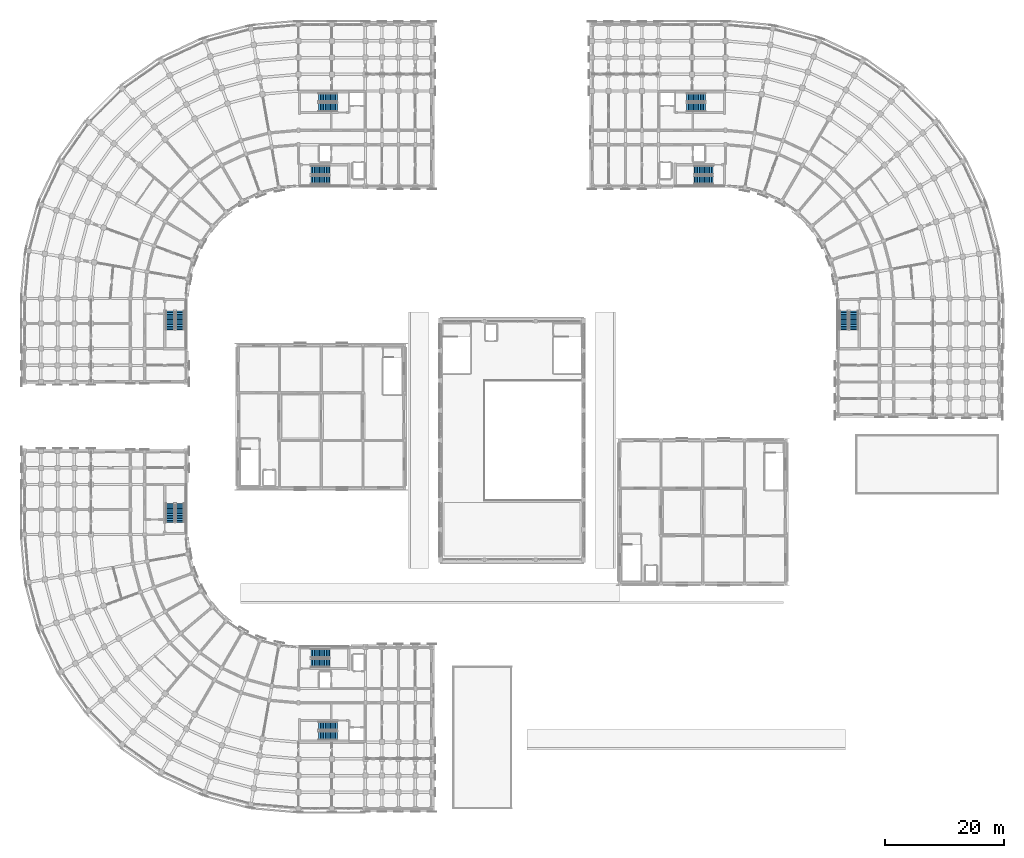
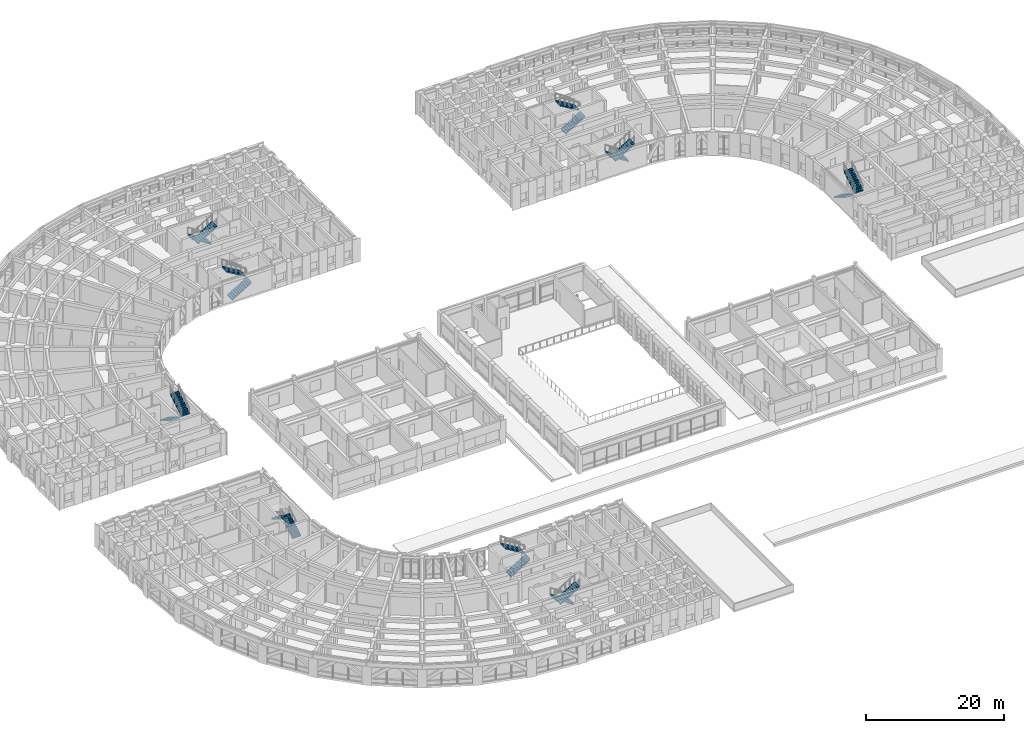
# One storey, part 80 of 97: 18 stair flights, 9 elements without a shape of their own.
"""IFC4 building model written with IfcOpenShell, lengths in metres."""

from ifc_helpers import new_model, si_unit, direction, frame, origin, place, context, subcontext, project, spatial, polyline, outline, extrude, material, type_object, element, aggregate, save


model = new_model("IFC4")

# Units and contexts
model_context = context("Model", 3, precision=1e-05, world=origin(), true_north=direction((0.0, 1.0)))
body_context = subcontext(model_context, "Body", "Model", "MODEL_VIEW")
ifc_project = project(units=[si_unit("LENGTHUNIT", "METRE"), si_unit("AREAUNIT", "SQUARE_METRE"), si_unit("VOLUMEUNIT", "CUBIC_METRE"), si_unit("PLANEANGLEUNIT", "RADIAN"), si_unit("MASSUNIT", "GRAM", prefix="KILO")], contexts=[model_context])

# Site, building, storey
site_placement = place(None, origin())
site = spatial("IfcSite", under=ifc_project, at=site_placement, CompositionType="ELEMENT")
building_placement = place(site_placement, origin())
building = spatial("IfcBuilding", under=site, at=building_placement, Name="Kiranvali Square Residences", CompositionType="ELEMENT")
storey_placement = place(building_placement, frame((0.0, 0.0, 4.5)))
storey = spatial("IfcBuildingStorey", under=building, at=storey_placement, Name="L01", CompositionType="ELEMENT", Elevation=4.5)

# Stair, stair flights
ifc_material = material(Name="Concrete M35 (35 MPa)", Category="concrete")
stair_type = type_object("IfcStairType", Name="ST-CORE-1700", PredefinedType="HALF_TURN_STAIR", material=ifc_material)
stair_1_placement = place(storey_placement, origin())
stair_1 = element("IfcStair", 1, at=stair_1_placement, inside=storey, type_object=stair_type, Name="L01 Block A Firefighting Exit Stair 1", PredefinedType="HALF_TURN_STAIR")
stair_flight_type = type_object("IfcStairFlightType", Name="STF-1700", PredefinedType="STRAIGHT", material=ifc_material)
stair_flight_1_placement = place(storey_placement, frame((54.699951171875, 121.52490234375, 0.0), z_axis=(0.0, 0.0, 1.0), x_axis=(-1.0, 0.0, 0.0)))
stair_flight_1 = element("IfcStairFlight", 2, at=stair_flight_1_placement, type_object=stair_flight_type, Name="ST-A1 flight 1", NumberOfRisers=12, NumberOfTreads=11, PredefinedType="STRAIGHT", RiserHeight=0.175, TreadLength=0.285, context=body_context, shape_type="SweptSolid", body=[
    extrude(outline(polyline([(-0.02001953125, -0.14990234375), (-0.02001953125, 0.0), (0.0, 0.0), (0.0, 0.175048828125), (0.284912109375, 0.175048828125), (0.284912109375, 0.35009765625), (0.570068359375, 0.35009765625), (0.570068359375, 0.52490234375), (0.85498046875, 0.52490234375), (0.85498046875, 0.699951171875), (1.139892578125, 0.699951171875), (1.139892578125, 0.875), (1.425048828125, 0.875), (1.425048828125, 1.050048828125), (1.7099609375, 1.050048828125), (1.7099609375, 1.22509765625), (1.9951171875, 1.22509765625), (1.9951171875, 1.39990234375), (2.280029296875, 1.39990234375), (2.280029296875, 1.574951171875), (2.56494140625, 1.574951171875), (2.56494140625, 1.75), (2.85009765625, 1.75), (2.85009765625, 1.925048828125), (3.135009765625, 1.925048828125), (3.135009765625, 2.10009765625), (3.155029296875, 2.10009765625), (3.155029296875, 1.7490234375), (3.135009765625, 1.7490234375), (0.0, -0.14990234375), (-0.02001953125, -0.14990234375)])), frame((0.0, 0.72509765625, 0.0), z_axis=(0.0, -1.0, 0.0), x_axis=(1.0, 0.0, 0.0)), (0.0, 0.0, 1.0), 1.449951171875),
])
stair_flight_2_placement = place(storey_placement, frame((51.56494140625, 119.875, 2.10009765625), z_axis=(0.0, 0.0, 1.0), x_axis=(1.0, 0.0, 0.0)))
stair_flight_2 = element("IfcStairFlight", 3, at=stair_flight_2_placement, type_object=stair_flight_type, Name="ST-A1 flight 2", NumberOfRisers=12, NumberOfTreads=11, PredefinedType="STRAIGHT", RiserHeight=0.175, TreadLength=0.285, context=body_context, shape_type="SweptSolid", body=[
    extrude(outline(polyline([(-0.02001953125, -0.14990234375), (-0.02001953125, 0.0), (0.0, 0.0), (0.0, 0.175048828125), (0.284912109375, 0.175048828125), (0.284912109375, 0.35009765625), (0.570068359375, 0.35009765625), (0.570068359375, 0.52490234375), (0.85498046875, 0.52490234375), (0.85498046875, 0.699951171875), (1.139892578125, 0.699951171875), (1.139892578125, 0.875), (1.425048828125, 0.875), (1.425048828125, 1.050048828125), (1.7099609375, 1.050048828125), (1.7099609375, 1.22509765625), (1.9951171875, 1.22509765625), (1.9951171875, 1.39990234375), (2.280029296875, 1.39990234375), (2.280029296875, 1.574951171875), (2.56494140625, 1.574951171875), (2.56494140625, 1.75), (2.85009765625, 1.75), (2.85009765625, 1.925048828125), (3.135009765625, 1.925048828125), (3.135009765625, 2.10009765625), (3.155029296875, 2.10009765625), (3.155029296875, 1.7490234375), (3.135009765625, 1.7490234375), (0.0, -0.14990234375), (-0.02001953125, -0.14990234375)])), frame((0.0, 0.72509765625, 0.0), z_axis=(0.0, -1.0, 0.0), x_axis=(1.0, 0.0, 0.0)), (0.0, 0.0, 1.0), 1.449951171875),
])
aggregate(stair_1, [stair_flight_1, stair_flight_2])

stair_2_placement = place(storey_placement, origin())
stair_2 = element("IfcStair", 4, at=stair_2_placement, inside=storey, type_object=stair_type, Name="L01 Block A Protected Exit Stair 2", PredefinedType="HALF_TURN_STAIR")
stair_flight_3_placement = place(storey_placement, frame((50.300048828125, 107.675048828125, 0.0), z_axis=(0.0, 0.0, 1.0), x_axis=(1.0, 0.0, 0.0)))
stair_flight_3 = element("IfcStairFlight", 5, at=stair_flight_3_placement, type_object=stair_flight_type, Name="ST-A2 flight 1", NumberOfRisers=12, NumberOfTreads=11, PredefinedType="STRAIGHT", RiserHeight=0.175, TreadLength=0.285, context=body_context, shape_type="SweptSolid", body=[
    extrude(outline(polyline([(-0.02001953125, -0.14990234375), (-0.02001953125, 0.0), (0.0, 0.0), (0.0, 0.175048828125), (0.284912109375, 0.175048828125), (0.284912109375, 0.35009765625), (0.570068359375, 0.35009765625), (0.570068359375, 0.52490234375), (0.85498046875, 0.52490234375), (0.85498046875, 0.699951171875), (1.139892578125, 0.699951171875), (1.139892578125, 0.875), (1.425048828125, 0.875), (1.425048828125, 1.050048828125), (1.7099609375, 1.050048828125), (1.7099609375, 1.22509765625), (1.9951171875, 1.22509765625), (1.9951171875, 1.39990234375), (2.280029296875, 1.39990234375), (2.280029296875, 1.574951171875), (2.56494140625, 1.574951171875), (2.56494140625, 1.75), (2.85009765625, 1.75), (2.85009765625, 1.925048828125), (3.135009765625, 1.925048828125), (3.135009765625, 2.10009765625), (3.155029296875, 2.10009765625), (3.155029296875, 1.7490234375), (3.135009765625, 1.7490234375), (0.0, -0.14990234375), (-0.02001953125, -0.14990234375)])), frame((0.0, 0.72509765625, 0.0), z_axis=(0.0, -1.0, 0.0), x_axis=(1.0, 0.0, 0.0)), (0.0, 0.0, 1.0), 1.449951171875),
])
stair_flight_4_placement = place(storey_placement, frame((53.43505859375, 109.324951171875, 2.10009765625), z_axis=(0.0, 0.0, 1.0), x_axis=(-1.0, 0.0, 0.0)))
stair_flight_4 = element("IfcStairFlight", 6, at=stair_flight_4_placement, type_object=stair_flight_type, Name="ST-A2 flight 2", NumberOfRisers=12, NumberOfTreads=11, PredefinedType="STRAIGHT", RiserHeight=0.175, TreadLength=0.285, context=body_context, shape_type="SweptSolid", body=[
    extrude(outline(polyline([(-0.02001953125, -0.14990234375), (-0.02001953125, 0.0), (0.0, 0.0), (0.0, 0.175048828125), (0.284912109375, 0.175048828125), (0.284912109375, 0.35009765625), (0.570068359375, 0.35009765625), (0.570068359375, 0.52490234375), (0.85498046875, 0.52490234375), (0.85498046875, 0.699951171875), (1.139892578125, 0.699951171875), (1.139892578125, 0.875), (1.425048828125, 0.875), (1.425048828125, 1.050048828125), (1.7099609375, 1.050048828125), (1.7099609375, 1.22509765625), (1.9951171875, 1.22509765625), (1.9951171875, 1.39990234375), (2.280029296875, 1.39990234375), (2.280029296875, 1.574951171875), (2.56494140625, 1.574951171875), (2.56494140625, 1.75), (2.85009765625, 1.75), (2.85009765625, 1.925048828125), (3.135009765625, 1.925048828125), (3.135009765625, 2.10009765625), (3.155029296875, 2.10009765625), (3.155029296875, 1.7490234375), (3.135009765625, 1.7490234375), (0.0, -0.14990234375), (-0.02001953125, -0.14990234375)])), frame((0.0, 0.72509765625, 0.0), z_axis=(0.0, -1.0, 0.0), x_axis=(1.0, 0.0, 0.0)), (0.0, 0.0, 1.0), 1.449951171875),
])
aggregate(stair_2, [stair_flight_3, stair_flight_4])

stair_3_placement = place(storey_placement, origin())
stair_3 = element("IfcStair", 7, at=stair_3_placement, inside=storey, type_object=stair_type, Name="L01 Block A Wing Protected Exit Stair 3", PredefinedType="HALF_TURN_STAIR")
stair_flight_5_placement = place(storey_placement, frame((26.675048828125, 85.699951171875, 0.0), z_axis=(0.0, 0.0, 1.0), x_axis=(0.0, -1.0, 0.0)))
stair_flight_5 = element("IfcStairFlight", 8, at=stair_flight_5_placement, type_object=stair_flight_type, Name="ST-A3 flight 1", NumberOfRisers=12, NumberOfTreads=11, PredefinedType="STRAIGHT", RiserHeight=0.175, TreadLength=0.285, context=body_context, shape_type="SweptSolid", body=[
    extrude(outline(polyline([(-0.02001953125, -0.14990234375), (-0.02001953125, 0.0), (0.0, 0.0), (0.0, 0.175048828125), (0.284912109375, 0.175048828125), (0.284912109375, 0.35009765625), (0.570068359375, 0.35009765625), (0.570068359375, 0.52490234375), (0.85498046875, 0.52490234375), (0.85498046875, 0.699951171875), (1.139892578125, 0.699951171875), (1.139892578125, 0.875), (1.425048828125, 0.875), (1.425048828125, 1.050048828125), (1.7099609375, 1.050048828125), (1.7099609375, 1.22509765625), (1.9951171875, 1.22509765625), (1.9951171875, 1.39990234375), (2.280029296875, 1.39990234375), (2.280029296875, 1.574951171875), (2.56494140625, 1.574951171875), (2.56494140625, 1.75), (2.85009765625, 1.75), (2.85009765625, 1.925048828125), (3.135009765625, 1.925048828125), (3.135009765625, 2.10009765625), (3.155029296875, 2.10009765625), (3.155029296875, 1.7490234375), (3.135009765625, 1.7490234375), (0.0, -0.14990234375), (-0.02001953125, -0.14990234375)])), frame((0.0, 0.72509765625, 0.0), z_axis=(0.0, -1.0, 0.0), x_axis=(1.0, 0.0, 0.0)), (0.0, 0.0, 1.0), 1.449951171875),
])
stair_flight_6_placement = place(storey_placement, frame((28.324951171875, 82.56494140625, 2.10009765625), z_axis=(0.0, 0.0, 1.0), x_axis=(0.0, 1.0, 0.0)))
stair_flight_6 = element("IfcStairFlight", 9, at=stair_flight_6_placement, type_object=stair_flight_type, Name="ST-A3 flight 2", NumberOfRisers=12, NumberOfTreads=11, PredefinedType="STRAIGHT", RiserHeight=0.175, TreadLength=0.285, context=body_context, shape_type="SweptSolid", body=[
    extrude(outline(polyline([(-0.02001953125, -0.14990234375), (-0.02001953125, 0.0), (0.0, 0.0), (0.0, 0.175048828125), (0.284912109375, 0.175048828125), (0.284912109375, 0.35009765625), (0.570068359375, 0.35009765625), (0.570068359375, 0.52490234375), (0.85498046875, 0.52490234375), (0.85498046875, 0.699951171875), (1.139892578125, 0.699951171875), (1.139892578125, 0.875), (1.425048828125, 0.875), (1.425048828125, 1.050048828125), (1.7099609375, 1.050048828125), (1.7099609375, 1.22509765625), (1.9951171875, 1.22509765625), (1.9951171875, 1.39990234375), (2.280029296875, 1.39990234375), (2.280029296875, 1.574951171875), (2.56494140625, 1.574951171875), (2.56494140625, 1.75), (2.85009765625, 1.75), (2.85009765625, 1.925048828125), (3.135009765625, 1.925048828125), (3.135009765625, 2.10009765625), (3.155029296875, 2.10009765625), (3.155029296875, 1.7490234375), (3.135009765625, 1.7490234375), (0.0, -0.14990234375), (-0.02001953125, -0.14990234375)])), frame((0.0, 0.72509765625, 0.0), z_axis=(0.0, -1.0, 0.0), x_axis=(1.0, 0.0, 0.0)), (0.0, 0.0, 1.0), 1.449951171875),
])
aggregate(stair_3, [stair_flight_5, stair_flight_6])

stair_4_placement = place(storey_placement, origin())
stair_4 = element("IfcStair", 10, at=stair_4_placement, inside=storey, type_object=stair_type, Name="L01 Block B Firefighting Exit Stair 1", PredefinedType="HALF_TURN_STAIR")
stair_flight_7_placement = place(storey_placement, frame((113.300048828125, 119.875, 0.0), z_axis=(0.0, 0.0, 1.0), x_axis=(1.0, 0.0, 0.0)))
stair_flight_7 = element("IfcStairFlight", 11, at=stair_flight_7_placement, type_object=stair_flight_type, Name="ST-B1 flight 1", NumberOfRisers=12, NumberOfTreads=11, PredefinedType="STRAIGHT", RiserHeight=0.175, TreadLength=0.285, context=body_context, shape_type="SweptSolid", body=[
    extrude(outline(polyline([(-0.02001953125, -0.14990234375), (-0.02001953125, 0.0), (0.0, 0.0), (0.0, 0.175048828125), (0.284912109375, 0.175048828125), (0.284912109375, 0.35009765625), (0.570068359375, 0.35009765625), (0.570068359375, 0.52490234375), (0.85498046875, 0.52490234375), (0.85498046875, 0.699951171875), (1.139892578125, 0.699951171875), (1.139892578125, 0.875), (1.425048828125, 0.875), (1.425048828125, 1.050048828125), (1.7099609375, 1.050048828125), (1.7099609375, 1.22509765625), (1.9951171875, 1.22509765625), (1.9951171875, 1.39990234375), (2.280029296875, 1.39990234375), (2.280029296875, 1.574951171875), (2.56494140625, 1.574951171875), (2.56494140625, 1.75), (2.85009765625, 1.75), (2.85009765625, 1.925048828125), (3.135009765625, 1.925048828125), (3.135009765625, 2.10009765625), (3.155029296875, 2.10009765625), (3.155029296875, 1.7490234375), (3.135009765625, 1.7490234375), (0.0, -0.14990234375), (-0.02001953125, -0.14990234375)])), frame((0.0, 0.72509765625, 0.0), z_axis=(0.0, -1.0, 0.0), x_axis=(1.0, 0.0, 0.0)), (0.0, 0.0, 1.0), 1.449951171875),
])
stair_flight_8_placement = place(storey_placement, frame((116.43505859375, 121.52490234375, 2.10009765625), z_axis=(0.0, 0.0, 1.0), x_axis=(-1.0, 0.0, 0.0)))
stair_flight_8 = element("IfcStairFlight", 12, at=stair_flight_8_placement, type_object=stair_flight_type, Name="ST-B1 flight 2", NumberOfRisers=12, NumberOfTreads=11, PredefinedType="STRAIGHT", RiserHeight=0.175, TreadLength=0.285, context=body_context, shape_type="SweptSolid", body=[
    extrude(outline(polyline([(-0.02001953125, -0.14990234375), (-0.02001953125, 0.0), (0.0, 0.0), (0.0, 0.175048828125), (0.284912109375, 0.175048828125), (0.284912109375, 0.35009765625), (0.570068359375, 0.35009765625), (0.570068359375, 0.52490234375), (0.85498046875, 0.52490234375), (0.85498046875, 0.699951171875), (1.139892578125, 0.699951171875), (1.139892578125, 0.875), (1.425048828125, 0.875), (1.425048828125, 1.050048828125), (1.7099609375, 1.050048828125), (1.7099609375, 1.22509765625), (1.9951171875, 1.22509765625), (1.9951171875, 1.39990234375), (2.280029296875, 1.39990234375), (2.280029296875, 1.574951171875), (2.56494140625, 1.574951171875), (2.56494140625, 1.75), (2.85009765625, 1.75), (2.85009765625, 1.925048828125), (3.135009765625, 1.925048828125), (3.135009765625, 2.10009765625), (3.155029296875, 2.10009765625), (3.155029296875, 1.7490234375), (3.135009765625, 1.7490234375), (0.0, -0.14990234375), (-0.02001953125, -0.14990234375)])), frame((0.0, 0.72509765625, 0.0), z_axis=(0.0, -1.0, 0.0), x_axis=(1.0, 0.0, 0.0)), (0.0, 0.0, 1.0), 1.449951171875),
])
aggregate(stair_4, [stair_flight_7, stair_flight_8])

stair_5_placement = place(storey_placement, origin())
stair_5 = element("IfcStair", 13, at=stair_5_placement, inside=storey, type_object=stair_type, Name="L01 Block B Protected Exit Stair 2", PredefinedType="HALF_TURN_STAIR")
stair_flight_9_placement = place(storey_placement, frame((117.699951171875, 109.324951171875, 0.0), z_axis=(0.0, 0.0, 1.0), x_axis=(-1.0, 0.0, 0.0)))
stair_flight_9 = element("IfcStairFlight", 14, at=stair_flight_9_placement, type_object=stair_flight_type, Name="ST-B2 flight 1", NumberOfRisers=12, NumberOfTreads=11, PredefinedType="STRAIGHT", RiserHeight=0.175, TreadLength=0.285, context=body_context, shape_type="SweptSolid", body=[
    extrude(outline(polyline([(-0.02001953125, -0.14990234375), (-0.02001953125, 0.0), (0.0, 0.0), (0.0, 0.175048828125), (0.284912109375, 0.175048828125), (0.284912109375, 0.35009765625), (0.570068359375, 0.35009765625), (0.570068359375, 0.52490234375), (0.85498046875, 0.52490234375), (0.85498046875, 0.699951171875), (1.139892578125, 0.699951171875), (1.139892578125, 0.875), (1.425048828125, 0.875), (1.425048828125, 1.050048828125), (1.7099609375, 1.050048828125), (1.7099609375, 1.22509765625), (1.9951171875, 1.22509765625), (1.9951171875, 1.39990234375), (2.280029296875, 1.39990234375), (2.280029296875, 1.574951171875), (2.56494140625, 1.574951171875), (2.56494140625, 1.75), (2.85009765625, 1.75), (2.85009765625, 1.925048828125), (3.135009765625, 1.925048828125), (3.135009765625, 2.10009765625), (3.155029296875, 2.10009765625), (3.155029296875, 1.7490234375), (3.135009765625, 1.7490234375), (0.0, -0.14990234375), (-0.02001953125, -0.14990234375)])), frame((0.0, 0.72509765625, 0.0), z_axis=(0.0, -1.0, 0.0), x_axis=(1.0, 0.0, 0.0)), (0.0, 0.0, 1.0), 1.449951171875),
])
stair_flight_10_placement = place(storey_placement, frame((114.56494140625, 107.675048828125, 2.10009765625), z_axis=(0.0, 0.0, 1.0), x_axis=(1.0, 0.0, 0.0)))
stair_flight_10 = element("IfcStairFlight", 15, at=stair_flight_10_placement, type_object=stair_flight_type, Name="ST-B2 flight 2", NumberOfRisers=12, NumberOfTreads=11, PredefinedType="STRAIGHT", RiserHeight=0.175, TreadLength=0.285, context=body_context, shape_type="SweptSolid", body=[
    extrude(outline(polyline([(-0.02001953125, -0.14990234375), (-0.02001953125, 0.0), (0.0, 0.0), (0.0, 0.175048828125), (0.284912109375, 0.175048828125), (0.284912109375, 0.35009765625), (0.570068359375, 0.35009765625), (0.570068359375, 0.52490234375), (0.85498046875, 0.52490234375), (0.85498046875, 0.699951171875), (1.139892578125, 0.699951171875), (1.139892578125, 0.875), (1.425048828125, 0.875), (1.425048828125, 1.050048828125), (1.7099609375, 1.050048828125), (1.7099609375, 1.22509765625), (1.9951171875, 1.22509765625), (1.9951171875, 1.39990234375), (2.280029296875, 1.39990234375), (2.280029296875, 1.574951171875), (2.56494140625, 1.574951171875), (2.56494140625, 1.75), (2.85009765625, 1.75), (2.85009765625, 1.925048828125), (3.135009765625, 1.925048828125), (3.135009765625, 2.10009765625), (3.155029296875, 2.10009765625), (3.155029296875, 1.7490234375), (3.135009765625, 1.7490234375), (0.0, -0.14990234375), (-0.02001953125, -0.14990234375)])), frame((0.0, 0.72509765625, 0.0), z_axis=(0.0, -1.0, 0.0), x_axis=(1.0, 0.0, 0.0)), (0.0, 0.0, 1.0), 1.449951171875),
])
aggregate(stair_5, [stair_flight_9, stair_flight_10])

stair_6_placement = place(storey_placement, origin())
stair_6 = element("IfcStair", 16, at=stair_6_placement, inside=storey, type_object=stair_type, Name="L01 Block B Wing Protected Exit Stair 3", PredefinedType="HALF_TURN_STAIR")
stair_flight_11_placement = place(storey_placement, frame((139.675048828125, 85.699951171875, 0.0), z_axis=(0.0, 0.0, 1.0), x_axis=(0.0, -1.0, 0.0)))
stair_flight_11 = element("IfcStairFlight", 17, at=stair_flight_11_placement, type_object=stair_flight_type, Name="ST-B3 flight 1", NumberOfRisers=12, NumberOfTreads=11, PredefinedType="STRAIGHT", RiserHeight=0.175, TreadLength=0.285, context=body_context, shape_type="SweptSolid", body=[
    extrude(outline(polyline([(-0.02001953125, -0.14990234375), (-0.02001953125, 0.0), (0.0, 0.0), (0.0, 0.175048828125), (0.284912109375, 0.175048828125), (0.284912109375, 0.35009765625), (0.570068359375, 0.35009765625), (0.570068359375, 0.52490234375), (0.85498046875, 0.52490234375), (0.85498046875, 0.699951171875), (1.139892578125, 0.699951171875), (1.139892578125, 0.875), (1.425048828125, 0.875), (1.425048828125, 1.050048828125), (1.7099609375, 1.050048828125), (1.7099609375, 1.22509765625), (1.9951171875, 1.22509765625), (1.9951171875, 1.39990234375), (2.280029296875, 1.39990234375), (2.280029296875, 1.574951171875), (2.56494140625, 1.574951171875), (2.56494140625, 1.75), (2.85009765625, 1.75), (2.85009765625, 1.925048828125), (3.135009765625, 1.925048828125), (3.135009765625, 2.10009765625), (3.155029296875, 2.10009765625), (3.155029296875, 1.7490234375), (3.135009765625, 1.7490234375), (0.0, -0.14990234375), (-0.02001953125, -0.14990234375)])), frame((0.0, 0.72509765625, 0.0), z_axis=(0.0, -1.0, 0.0), x_axis=(1.0, 0.0, 0.0)), (0.0, 0.0, 1.0), 1.449951171875),
])
stair_flight_12_placement = place(storey_placement, frame((141.324951171875, 82.56494140625, 2.10009765625), z_axis=(0.0, 0.0, 1.0), x_axis=(0.0, 1.0, 0.0)))
stair_flight_12 = element("IfcStairFlight", 18, at=stair_flight_12_placement, type_object=stair_flight_type, Name="ST-B3 flight 2", NumberOfRisers=12, NumberOfTreads=11, PredefinedType="STRAIGHT", RiserHeight=0.175, TreadLength=0.285, context=body_context, shape_type="SweptSolid", body=[
    extrude(outline(polyline([(-0.02001953125, -0.14990234375), (-0.02001953125, 0.0), (0.0, 0.0), (0.0, 0.175048828125), (0.284912109375, 0.175048828125), (0.284912109375, 0.35009765625), (0.570068359375, 0.35009765625), (0.570068359375, 0.52490234375), (0.85498046875, 0.52490234375), (0.85498046875, 0.699951171875), (1.139892578125, 0.699951171875), (1.139892578125, 0.875), (1.425048828125, 0.875), (1.425048828125, 1.050048828125), (1.7099609375, 1.050048828125), (1.7099609375, 1.22509765625), (1.9951171875, 1.22509765625), (1.9951171875, 1.39990234375), (2.280029296875, 1.39990234375), (2.280029296875, 1.574951171875), (2.56494140625, 1.574951171875), (2.56494140625, 1.75), (2.85009765625, 1.75), (2.85009765625, 1.925048828125), (3.135009765625, 1.925048828125), (3.135009765625, 2.10009765625), (3.155029296875, 2.10009765625), (3.155029296875, 1.7490234375), (3.135009765625, 1.7490234375), (0.0, -0.14990234375), (-0.02001953125, -0.14990234375)])), frame((0.0, 0.72509765625, 0.0), z_axis=(0.0, -1.0, 0.0), x_axis=(1.0, 0.0, 0.0)), (0.0, 0.0, 1.0), 1.449951171875),
])
aggregate(stair_6, [stair_flight_11, stair_flight_12])

stair_7_placement = place(storey_placement, origin())
stair_7 = element("IfcStair", 19, at=stair_7_placement, inside=storey, type_object=stair_type, Name="L01 Block C Firefighting Exit Stair 1", PredefinedType="HALF_TURN_STAIR")
stair_flight_13_placement = place(storey_placement, frame((54.699951171875, 16.125, 0.0), z_axis=(0.0, 0.0, 1.0), x_axis=(-1.0, 0.0, 0.0)))
stair_flight_13 = element("IfcStairFlight", 20, at=stair_flight_13_placement, type_object=stair_flight_type, Name="ST-C1 flight 1", NumberOfRisers=12, NumberOfTreads=11, PredefinedType="STRAIGHT", RiserHeight=0.175, TreadLength=0.285, context=body_context, shape_type="SweptSolid", body=[
    extrude(outline(polyline([(-0.02001953125, -0.14990234375), (-0.02001953125, 0.0), (0.0, 0.0), (0.0, 0.175048828125), (0.284912109375, 0.175048828125), (0.284912109375, 0.35009765625), (0.570068359375, 0.35009765625), (0.570068359375, 0.52490234375), (0.85498046875, 0.52490234375), (0.85498046875, 0.699951171875), (1.139892578125, 0.699951171875), (1.139892578125, 0.875), (1.425048828125, 0.875), (1.425048828125, 1.050048828125), (1.7099609375, 1.050048828125), (1.7099609375, 1.22509765625), (1.9951171875, 1.22509765625), (1.9951171875, 1.39990234375), (2.280029296875, 1.39990234375), (2.280029296875, 1.574951171875), (2.56494140625, 1.574951171875), (2.56494140625, 1.75), (2.85009765625, 1.75), (2.85009765625, 1.925048828125), (3.135009765625, 1.925048828125), (3.135009765625, 2.10009765625), (3.155029296875, 2.10009765625), (3.155029296875, 1.7490234375), (3.135009765625, 1.7490234375), (0.0, -0.14990234375), (-0.02001953125, -0.14990234375)])), frame((0.0, 0.72509765625, 0.0), z_axis=(0.0, -1.0, 0.0), x_axis=(1.0, 0.0, 0.0)), (0.0, 0.0, 1.0), 1.449951171875),
])
stair_flight_14_placement = place(storey_placement, frame((51.56494140625, 14.47509765625, 2.10009765625), z_axis=(0.0, 0.0, 1.0), x_axis=(1.0, 0.0, 0.0)))
stair_flight_14 = element("IfcStairFlight", 21, at=stair_flight_14_placement, type_object=stair_flight_type, Name="ST-C1 flight 2", NumberOfRisers=12, NumberOfTreads=11, PredefinedType="STRAIGHT", RiserHeight=0.175, TreadLength=0.285, context=body_context, shape_type="SweptSolid", body=[
    extrude(outline(polyline([(-0.02001953125, -0.14990234375), (-0.02001953125, 0.0), (0.0, 0.0), (0.0, 0.175048828125), (0.284912109375, 0.175048828125), (0.284912109375, 0.35009765625), (0.570068359375, 0.35009765625), (0.570068359375, 0.52490234375), (0.85498046875, 0.52490234375), (0.85498046875, 0.699951171875), (1.139892578125, 0.699951171875), (1.139892578125, 0.875), (1.425048828125, 0.875), (1.425048828125, 1.050048828125), (1.7099609375, 1.050048828125), (1.7099609375, 1.22509765625), (1.9951171875, 1.22509765625), (1.9951171875, 1.39990234375), (2.280029296875, 1.39990234375), (2.280029296875, 1.574951171875), (2.56494140625, 1.574951171875), (2.56494140625, 1.75), (2.85009765625, 1.75), (2.85009765625, 1.925048828125), (3.135009765625, 1.925048828125), (3.135009765625, 2.10009765625), (3.155029296875, 2.10009765625), (3.155029296875, 1.7490234375), (3.135009765625, 1.7490234375), (0.0, -0.14990234375), (-0.02001953125, -0.14990234375)])), frame((0.0, 0.72509765625, 0.0), z_axis=(0.0, -1.0, 0.0), x_axis=(1.0, 0.0, 0.0)), (0.0, 0.0, 1.0), 1.449951171875),
])
aggregate(stair_7, [stair_flight_13, stair_flight_14])

stair_8_placement = place(storey_placement, origin())
stair_8 = element("IfcStair", 22, at=stair_8_placement, inside=storey, type_object=stair_type, Name="L01 Block C Protected Exit Stair 2", PredefinedType="HALF_TURN_STAIR")
stair_flight_15_placement = place(storey_placement, frame((50.300048828125, 26.675048828125, 0.0), z_axis=(0.0, 0.0, 1.0), x_axis=(1.0, 0.0, 0.0)))
stair_flight_15 = element("IfcStairFlight", 23, at=stair_flight_15_placement, type_object=stair_flight_type, Name="ST-C2 flight 1", NumberOfRisers=12, NumberOfTreads=11, PredefinedType="STRAIGHT", RiserHeight=0.175, TreadLength=0.285, context=body_context, shape_type="SweptSolid", body=[
    extrude(outline(polyline([(-0.02001953125, -0.14990234375), (-0.02001953125, 0.0), (0.0, 0.0), (0.0, 0.175048828125), (0.284912109375, 0.175048828125), (0.284912109375, 0.35009765625), (0.570068359375, 0.35009765625), (0.570068359375, 0.52490234375), (0.85498046875, 0.52490234375), (0.85498046875, 0.699951171875), (1.139892578125, 0.699951171875), (1.139892578125, 0.875), (1.425048828125, 0.875), (1.425048828125, 1.050048828125), (1.7099609375, 1.050048828125), (1.7099609375, 1.22509765625), (1.9951171875, 1.22509765625), (1.9951171875, 1.39990234375), (2.280029296875, 1.39990234375), (2.280029296875, 1.574951171875), (2.56494140625, 1.574951171875), (2.56494140625, 1.75), (2.85009765625, 1.75), (2.85009765625, 1.925048828125), (3.135009765625, 1.925048828125), (3.135009765625, 2.10009765625), (3.155029296875, 2.10009765625), (3.155029296875, 1.7490234375), (3.135009765625, 1.7490234375), (0.0, -0.14990234375), (-0.02001953125, -0.14990234375)])), frame((0.0, 0.72509765625, 0.0), z_axis=(0.0, -1.0, 0.0), x_axis=(1.0, 0.0, 0.0)), (0.0, 0.0, 1.0), 1.449951171875),
])
stair_flight_16_placement = place(storey_placement, frame((53.43505859375, 28.324951171875, 2.10009765625), z_axis=(0.0, 0.0, 1.0), x_axis=(-1.0, 0.0, 0.0)))
stair_flight_16 = element("IfcStairFlight", 24, at=stair_flight_16_placement, type_object=stair_flight_type, Name="ST-C2 flight 2", NumberOfRisers=12, NumberOfTreads=11, PredefinedType="STRAIGHT", RiserHeight=0.175, TreadLength=0.285, context=body_context, shape_type="SweptSolid", body=[
    extrude(outline(polyline([(-0.02001953125, -0.14990234375), (-0.02001953125, 0.0), (0.0, 0.0), (0.0, 0.175048828125), (0.284912109375, 0.175048828125), (0.284912109375, 0.35009765625), (0.570068359375, 0.35009765625), (0.570068359375, 0.52490234375), (0.85498046875, 0.52490234375), (0.85498046875, 0.699951171875), (1.139892578125, 0.699951171875), (1.139892578125, 0.875), (1.425048828125, 0.875), (1.425048828125, 1.050048828125), (1.7099609375, 1.050048828125), (1.7099609375, 1.22509765625), (1.9951171875, 1.22509765625), (1.9951171875, 1.39990234375), (2.280029296875, 1.39990234375), (2.280029296875, 1.574951171875), (2.56494140625, 1.574951171875), (2.56494140625, 1.75), (2.85009765625, 1.75), (2.85009765625, 1.925048828125), (3.135009765625, 1.925048828125), (3.135009765625, 2.10009765625), (3.155029296875, 2.10009765625), (3.155029296875, 1.7490234375), (3.135009765625, 1.7490234375), (0.0, -0.14990234375), (-0.02001953125, -0.14990234375)])), frame((0.0, 0.72509765625, 0.0), z_axis=(0.0, -1.0, 0.0), x_axis=(1.0, 0.0, 0.0)), (0.0, 0.0, 1.0), 1.449951171875),
])
aggregate(stair_8, [stair_flight_15, stair_flight_16])

stair_9_placement = place(storey_placement, origin())
stair_9 = element("IfcStair", 25, at=stair_9_placement, inside=storey, type_object=stair_type, Name="L01 Block C Wing Protected Exit Stair 3", PredefinedType="HALF_TURN_STAIR")
stair_flight_17_placement = place(storey_placement, frame((28.324951171875, 50.300048828125, 0.0), z_axis=(0.0, 0.0, 1.0), x_axis=(0.0, 1.0, 0.0)))
stair_flight_17 = element("IfcStairFlight", 26, at=stair_flight_17_placement, type_object=stair_flight_type, Name="ST-C3 flight 1", NumberOfRisers=12, NumberOfTreads=11, PredefinedType="STRAIGHT", RiserHeight=0.175, TreadLength=0.285, context=body_context, shape_type="SweptSolid", body=[
    extrude(outline(polyline([(-0.02001953125, -0.14990234375), (-0.02001953125, 0.0), (0.0, 0.0), (0.0, 0.175048828125), (0.284912109375, 0.175048828125), (0.284912109375, 0.35009765625), (0.570068359375, 0.35009765625), (0.570068359375, 0.52490234375), (0.85498046875, 0.52490234375), (0.85498046875, 0.699951171875), (1.139892578125, 0.699951171875), (1.139892578125, 0.875), (1.425048828125, 0.875), (1.425048828125, 1.050048828125), (1.7099609375, 1.050048828125), (1.7099609375, 1.22509765625), (1.9951171875, 1.22509765625), (1.9951171875, 1.39990234375), (2.280029296875, 1.39990234375), (2.280029296875, 1.574951171875), (2.56494140625, 1.574951171875), (2.56494140625, 1.75), (2.85009765625, 1.75), (2.85009765625, 1.925048828125), (3.135009765625, 1.925048828125), (3.135009765625, 2.10009765625), (3.155029296875, 2.10009765625), (3.155029296875, 1.7490234375), (3.135009765625, 1.7490234375), (0.0, -0.14990234375), (-0.02001953125, -0.14990234375)])), frame((0.0, 0.72509765625, 0.0), z_axis=(0.0, -1.0, 0.0), x_axis=(1.0, 0.0, 0.0)), (0.0, 0.0, 1.0), 1.449951171875),
])
stair_flight_18_placement = place(storey_placement, frame((26.675048828125, 53.43505859375, 2.10009765625), z_axis=(0.0, 0.0, 1.0), x_axis=(0.0, -1.0, 0.0)))
stair_flight_18 = element("IfcStairFlight", 27, at=stair_flight_18_placement, type_object=stair_flight_type, Name="ST-C3 flight 2", NumberOfRisers=12, NumberOfTreads=11, PredefinedType="STRAIGHT", RiserHeight=0.175, TreadLength=0.285, context=body_context, shape_type="SweptSolid", body=[
    extrude(outline(polyline([(-0.02001953125, -0.14990234375), (-0.02001953125, 0.0), (0.0, 0.0), (0.0, 0.175048828125), (0.284912109375, 0.175048828125), (0.284912109375, 0.35009765625), (0.570068359375, 0.35009765625), (0.570068359375, 0.52490234375), (0.85498046875, 0.52490234375), (0.85498046875, 0.699951171875), (1.139892578125, 0.699951171875), (1.139892578125, 0.875), (1.425048828125, 0.875), (1.425048828125, 1.050048828125), (1.7099609375, 1.050048828125), (1.7099609375, 1.22509765625), (1.9951171875, 1.22509765625), (1.9951171875, 1.39990234375), (2.280029296875, 1.39990234375), (2.280029296875, 1.574951171875), (2.56494140625, 1.574951171875), (2.56494140625, 1.75), (2.85009765625, 1.75), (2.85009765625, 1.925048828125), (3.135009765625, 1.925048828125), (3.135009765625, 2.10009765625), (3.155029296875, 2.10009765625), (3.155029296875, 1.7490234375), (3.135009765625, 1.7490234375), (0.0, -0.14990234375), (-0.02001953125, -0.14990234375)])), frame((0.0, 0.72509765625, 0.0), z_axis=(0.0, -1.0, 0.0), x_axis=(1.0, 0.0, 0.0)), (0.0, 0.0, 1.0), 1.449951171875),
])
aggregate(stair_9, [stair_flight_17, stair_flight_18])

save(model, "model.ifc")
